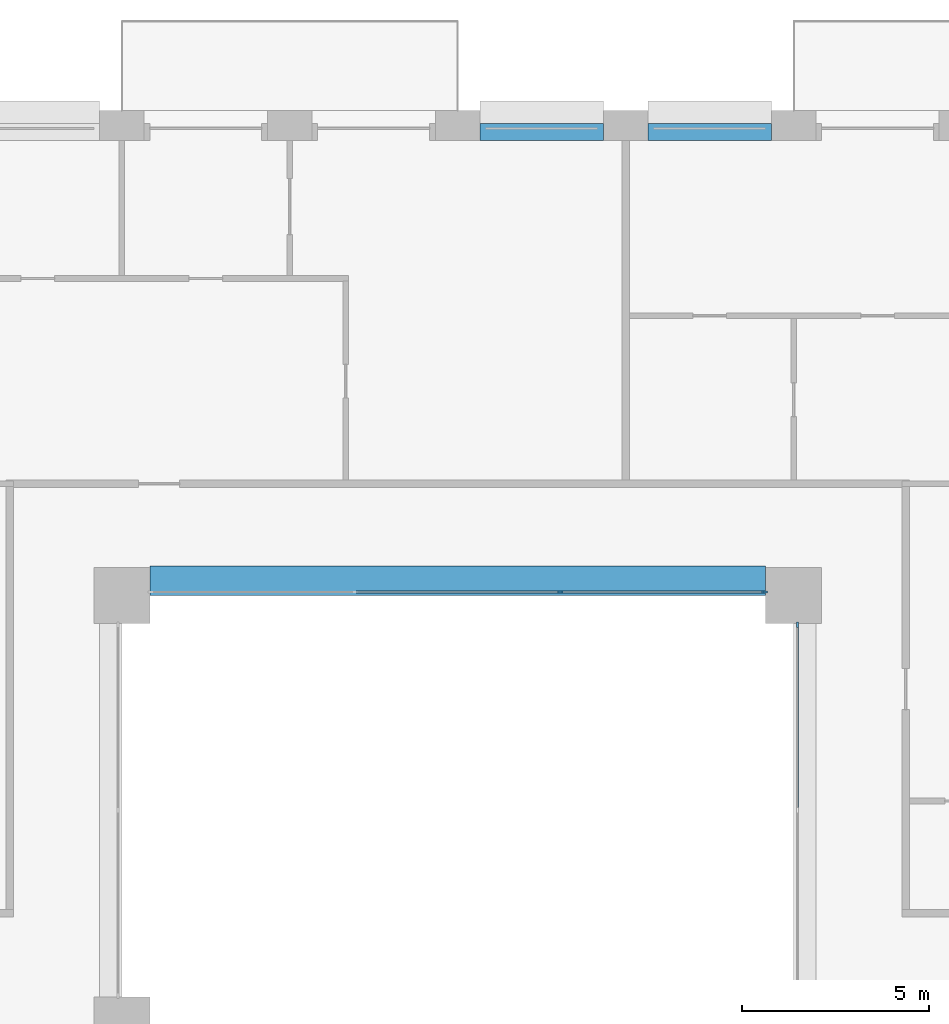
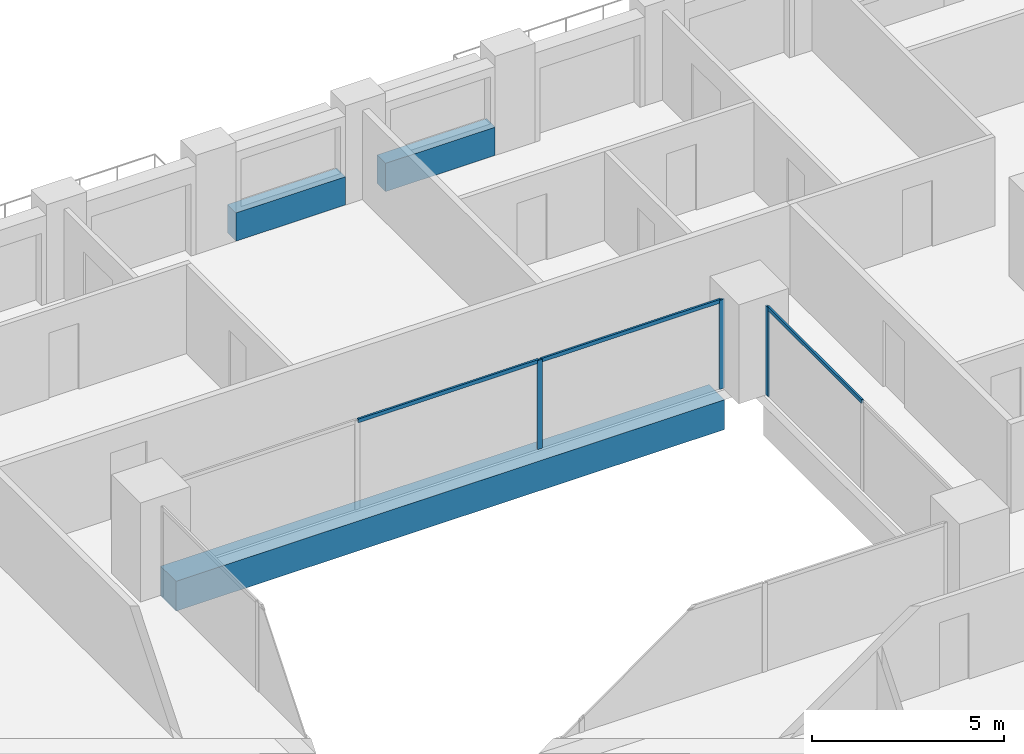
# One storey, part 7 of 20: 6 members, 3 beams, 2 elements without a shape of their own.
"""IFC4 building model written with IfcOpenShell, lengths in metres."""

from ifc_helpers import new_model, si_unit, direction, frame, origin, origin_2d, place, context, subcontext, project, spatial, rectangle, extrude, material, layer, layer_set, material_profile, profile_set, type_object, element, aggregate, save


model = new_model("IFC4")

# Units and contexts
model_context = context("Model", 3, precision=1e-05, world=origin(), true_north=direction((0.0, 1.0)))
body_context = subcontext(model_context, "Body", "Model", "MODEL_VIEW")
ifc_project = project(units=[si_unit("LENGTHUNIT", "METRE"), si_unit("AREAUNIT", "SQUARE_METRE"), si_unit("VOLUMEUNIT", "CUBIC_METRE"), si_unit("PLANEANGLEUNIT", "RADIAN"), si_unit("MASSUNIT", "GRAM", prefix="KILO")], contexts=[model_context])

# Site, building, storey
site_placement = place(None, origin())
site = spatial("IfcSite", under=ifc_project, at=site_placement, CompositionType="ELEMENT")
building_placement = place(site_placement, origin())
building = spatial("IfcBuilding", under=site, at=building_placement, Name="Brigalow Station Residences", CompositionType="ELEMENT")
storey_placement = place(building_placement, frame((0.0, 0.0, 44.699951171875)))
storey = spatial("IfcBuildingStorey", under=building, at=storey_placement, Name="L12", CompositionType="ELEMENT", Elevation=44.699951171875)

# Beam
ifc_material_1 = material(Name="Concrete C65", Category="concrete")
ifc_material_profile_1 = material_profile(ifc_material_1, rectangle(XDim=0.800048828125, YDim=0.949951171875, at=origin_2d()), Name="RC800x950")
ifc_profile_set_1 = profile_set([ifc_material_profile_1], Name="Concrete C65")
beam_type_1 = type_object("IfcBeamType", Name="ATRIUM EDGE GIRDER OVER 13.5 M SPAN 800x950 C65", PredefinedType="BEAM", material=ifc_profile_set_1)
beam_placement = place(storey_placement, frame((27.75, 35.89990234375, -0.794921875), z_axis=(1.0, 0.0, 0.0), x_axis=(0.0, 1.0, 0.0)))
element("IfcBeam", 1, at=beam_placement, inside=storey, type_object=beam_type_1, Name="ATRIUM EDGE GIRDER D L12", PredefinedType="BEAM", context=body_context, shape_type="SweptSolid", body=[
    extrude(rectangle(XDim=0.800048828125, YDim=0.949951171875, at=origin_2d()), origin(), (0.0, 0.0, 1.0), 16.5),
])

# Curtain wall, member
ifc_material_2 = material(Name="Aluminium", Category="aluminium")
ifc_layer = layer(ifc_material_2, 0.14990234375)
ifc_layer_set = layer_set([ifc_layer], Name="ATRIUM FIRE-RATED GLAZING CURTAIN WALL")
curtain_wall_type = type_object("IfcCurtainWallType", Name="ATRIUM FIRE-RATED GLAZING CURTAIN WALL", PredefinedType="NOTDEFINED", material=ifc_layer_set)
curtain_wall_1_placement = place(storey_placement, origin())
curtain_wall_1 = element("IfcCurtainWall", 2, at=curtain_wall_1_placement, inside=storey, type_object=curtain_wall_type, Name="L12/cw/atrium-E", PredefinedType="NOTDEFINED")
ifc_material_3 = material(Name="Aluminium", Category="aluminium")
ifc_material_profile_2 = material_profile(ifc_material_3, rectangle(XDim=0.06005859375, YDim=0.14990234375, at=origin_2d()), Name="ATRIUM FIRE-RATED GLAZING MULLION 60x150")
ifc_profile_set_2 = profile_set([ifc_material_profile_2], Name="Aluminium")
member_type_1 = type_object("IfcMemberType", Name="ATRIUM FIRE-RATED GLAZING MULLION 60x150", PredefinedType="MULLION", material=ifc_profile_set_2)
member_1_placement = place(storey_placement, frame((45.10009765625, 34.719970703125, 0.0), z_axis=(0.0, 0.0, 1.0), x_axis=(-1.0, 0.0, 0.0)))
member_1 = element("IfcMember", 3, at=member_1_placement, type_object=member_type_1, Name="L12/cw/atrium-E/M02", PredefinedType="MULLION", context=body_context, shape_type="SweptSolid", body=[
    extrude(rectangle(XDim=0.06005859375, YDim=0.14990234375, at=origin_2d()), origin(), (0.0, 0.0, 1.0), 2.830078125),
])

# Curtain wall, members
curtain_wall_2_placement = place(storey_placement, origin())
curtain_wall_2 = element("IfcCurtainWall", 4, at=curtain_wall_2_placement, inside=storey, type_object=curtain_wall_type, Name="L12/cw/atrium-N", PredefinedType="NOTDEFINED")
member_2_placement = place(storey_placement, frame((44.219970703125, 35.60009765625, 0.0), z_axis=(0.0, 0.0, 1.0), x_axis=(0.0, -1.0, 0.0)))
member_2 = element("IfcMember", 5, at=member_2_placement, type_object=member_type_1, Name="L12/cw/atrium-N/M00", PredefinedType="MULLION", context=body_context, shape_type="SweptSolid", body=[
    extrude(rectangle(XDim=0.06005859375, YDim=0.14990234375, at=origin_2d()), origin(), (0.0, 0.0, 1.0), 2.830078125),
])
member_3_placement = place(storey_placement, frame((38.75, 35.60009765625, 0.0), z_axis=(0.0, 0.0, 1.0), x_axis=(0.0, -1.0, 0.0)))
member_3 = element("IfcMember", 6, at=member_3_placement, type_object=member_type_1, Name="L12/cw/atrium-N/M01", PredefinedType="MULLION", context=body_context, shape_type="SweptSolid", body=[
    extrude(rectangle(XDim=0.06005859375, YDim=0.14990234375, at=origin_2d()), origin(), (0.0, 0.0, 1.0), 2.830078125),
])

# Member
ifc_material_4 = material(Name="Aluminium", Category="aluminium")
ifc_material_profile_3 = material_profile(ifc_material_4, rectangle(XDim=0.06005859375, YDim=0.1201171875, at=origin_2d()), Name="ATRIUM FIRE-RATED GLAZING TRANSOM 60x120")
ifc_profile_set_3 = profile_set([ifc_material_profile_3], Name="Aluminium")
member_type_2 = type_object("IfcMemberType", Name="ATRIUM FIRE-RATED GLAZING TRANSOM 60x120", PredefinedType="USERDEFINED", material=ifc_profile_set_3)
member_4_placement = place(storey_placement, frame((45.10009765625, 29.780029296875, 2.800048828125), z_axis=(0.0, 1.0, 0.0), x_axis=(-1.0, 0.0, 0.0)))
member_4 = element("IfcMember", 7, at=member_4_placement, type_object=member_type_2, Name="L12/cw/atrium-E/T01-00", ObjectType="TRANSOM", PredefinedType="USERDEFINED", context=body_context, shape_type="SweptSolid", body=[
    extrude(rectangle(XDim=0.06005859375, YDim=0.1201171875, at=origin_2d()), origin(), (0.0, 0.0, 1.0), 4.909912109375),
])

aggregate(curtain_wall_1, [member_1, member_4])

member_5_placement = place(storey_placement, frame((44.18994140625, 35.60009765625, 2.800048828125), z_axis=(-1.0, 0.0, 0.0), x_axis=(0.0, -1.0, 0.0)))
member_5 = element("IfcMember", 8, at=member_5_placement, type_object=member_type_2, Name="L12/cw/atrium-N/T00-00", ObjectType="TRANSOM", PredefinedType="USERDEFINED", context=body_context, shape_type="SweptSolid", body=[
    extrude(rectangle(XDim=0.06005859375, YDim=0.1201171875, at=origin_2d()), origin(), (0.0, 0.0, 1.0), 5.409912109375),
])

member_6_placement = place(storey_placement, frame((38.719970703125, 35.60009765625, 2.800048828125), z_axis=(-1.0, 0.0, 0.0), x_axis=(0.0, -1.0, 0.0)))
member_6 = element("IfcMember", 9, at=member_6_placement, type_object=member_type_2, Name="L12/cw/atrium-N/T01-00", ObjectType="TRANSOM", PredefinedType="USERDEFINED", context=body_context, shape_type="SweptSolid", body=[
    extrude(rectangle(XDim=0.06005859375, YDim=0.1201171875, at=origin_2d()), origin(), (0.0, 0.0, 1.0), 5.43994140625),
])

aggregate(curtain_wall_2, [member_2, member_3, member_5, member_6])

# Beams
ifc_material_5 = material(Name="Concrete C65", Category="concrete")
ifc_material_profile_4 = material_profile(ifc_material_5, rectangle(XDim=0.449951171875, YDim=0.89990234375, at=origin_2d()), Name="RC450x900")
ifc_profile_set_4 = profile_set([ifc_material_profile_4], Name="Concrete C65")
beam_type_2 = type_object("IfcBeamType", Name="SPANDREL BEAM 450x900 C65", PredefinedType="SPANDREL", material=ifc_profile_set_4)
for number, where, z_axis, x_axis, name in (
    (10, (44.39990234375, 47.925048828125, 0.449951171875), (-1.0, 0.0, 0.0), (0.0, -1.0, 0.0), "L12/spandrel/W-L12-31"),
    (11, (39.89990234375, 47.925048828125, 0.449951171875), (-1.0, 0.0, 0.0), (0.0, -1.0, 0.0), "L12/spandrel/W-L12-32"),
):
    element("IfcBeam", number, at=place(storey_placement, frame(where, z_axis=z_axis, x_axis=x_axis)), inside=storey, type_object=beam_type_2, Name=name, PredefinedType="SPANDREL", context=body_context, shape_type="SweptSolid", body=[
        extrude(rectangle(XDim=0.449951171875, YDim=0.89990234375, at=origin_2d()), origin(), (0.0, 0.0, 1.0), 3.2998046875),
    ])

save(model, "model.ifc")
